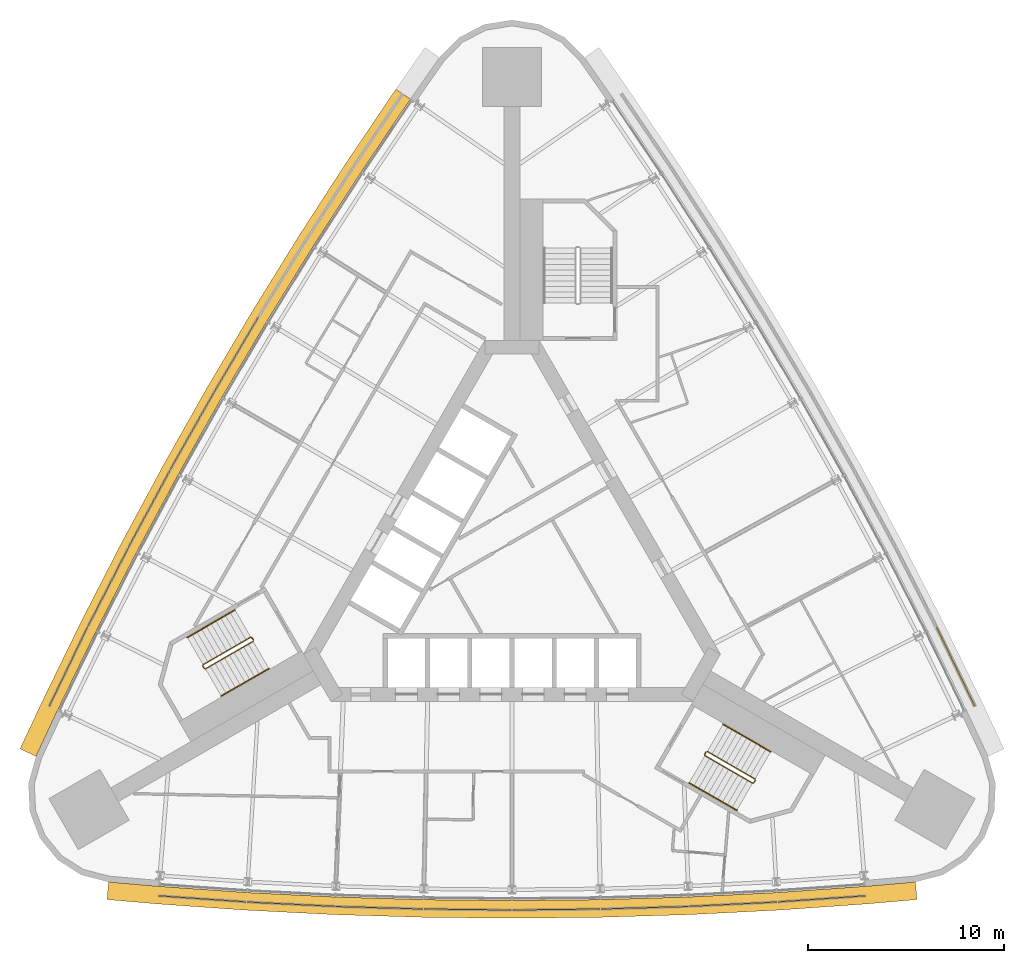
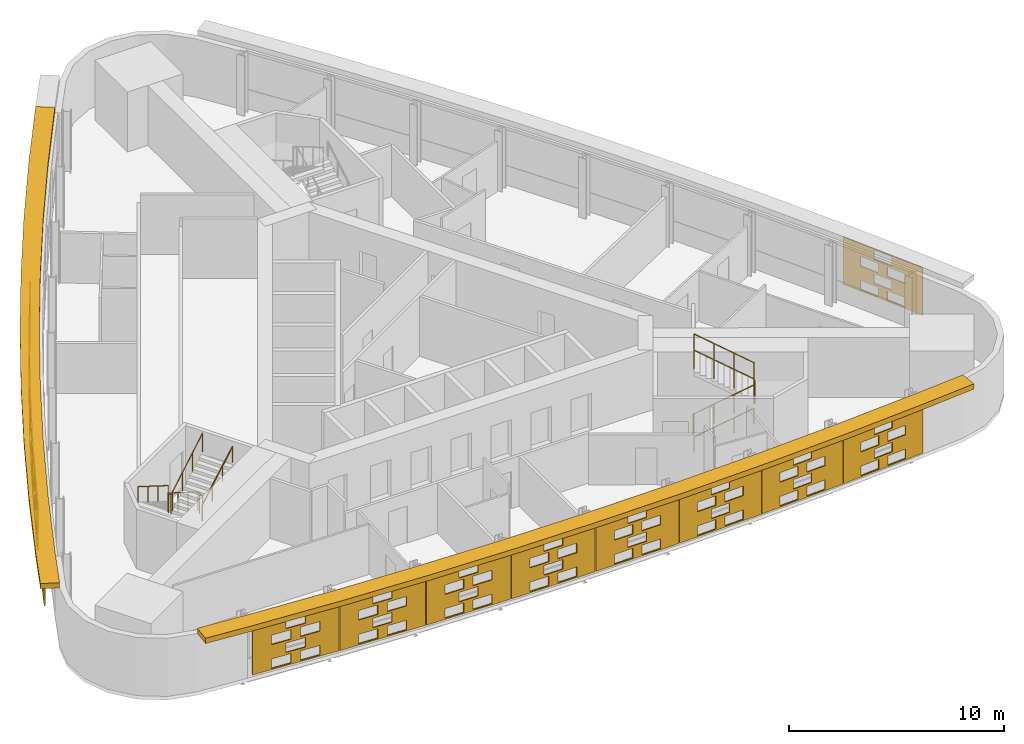
# One storey, part 10 of 11: 16 shading devices, 6 railings.
"""IFC4 building model written with IfcOpenShell, lengths in metres."""

import ifcopenshell
import ifcopenshell.guid

model = None  # the IFC model being written
_history = None  # IfcOwnerHistory: only IFC2X3 demands one
_inside = {}  # id of a spatial element -> (the spatial element, [elements in it])
_under = {}  # id of a project, library or spatial element -> (it, [spatial elements below it])
_declared = {}  # id of a project -> (the project, [libraries it declares])
_typed = {}  # id of a type object -> (the type object, [elements of that type])
_made_of = {}  # id of a material, layer set ... -> (it, [elements and type objects made of it])


def new_model(schema):
    """Start an empty IFC model of exactly this schema.

    Asked for "IFC4X3", IfcOpenShell would pick the latest addendum, in which some entities
    have other attributes; the version numbers below select the first issue.
    IFC2X3 requires an IfcOwnerHistory on every rooted entity: one is made here for all.
    """
    global model, _history
    if schema == "IFC4X3":
        model = ifcopenshell.file(schema_version=(4, 3, 0, 0))
    else:
        model = ifcopenshell.file(schema=schema)
    _inside.clear()
    _under.clear()
    _declared.clear()
    _typed.clear()
    _made_of.clear()
    _history = None
    if model.schema == "IFC2X3":
        org = make("IfcOrganization", Name="unknown")
        user = make(
            "IfcPersonAndOrganization",
            ThePerson=make("IfcPerson", FamilyName="unknown"),
            TheOrganization=org,
        )
        app = make(
            "IfcApplication",
            ApplicationDeveloper=org,
            Version="unknown",
            ApplicationFullName="unknown",
            ApplicationIdentifier="unknown",
        )
        _history = make(
            "IfcOwnerHistory",
            OwningUser=user,
            OwningApplication=app,
            ChangeAction="ADDED",
            CreationDate=0,
        )
    return model


def make(cls, **values):
    """One entity of the class cls with the attributes given. An attribute that is None is left unset."""
    return model.create_entity(
        cls, **{name: value for name, value in values.items() if value is not None}
    )


def rooted(cls, **values):
    """An entity with a GlobalId (a new one), such as an element, a storey or a relation."""
    return make(cls, GlobalId=ifcopenshell.guid.new(), OwnerHistory=_history, **values)


def si_unit(unit_type, name, prefix=None):
    """IfcSIUnit, for example si_unit("LENGTHUNIT", "METRE", prefix="MILLI")."""
    return make("IfcSIUnit", UnitType=unit_type, Prefix=prefix, Name=name)


def assignment(units):
    """IfcUnitAssignment: the units of a project."""
    return None if units is None else make("IfcUnitAssignment", Units=units)


def point(xyz):
    """IfcCartesianPoint."""
    return None if xyz is None else make("IfcCartesianPoint", Coordinates=xyz)


def direction(xyz):
    """IfcDirection."""
    return None if xyz is None else make("IfcDirection", DirectionRatios=xyz)


def frame(location, z_axis=None, x_axis=None):
    """IfcAxis2Placement3D, a coordinate frame: its origin and axes. An axis left out is left unset."""
    return make(
        "IfcAxis2Placement3D",
        Location=point(location),
        Axis=direction(z_axis),
        RefDirection=direction(x_axis),
    )


def frame_2d(location, x_axis=None):
    """IfcAxis2Placement2D, a coordinate frame in the plane: its origin and x axis."""
    return make(
        "IfcAxis2Placement2D", Location=point(location), RefDirection=direction(x_axis)
    )


def origin():
    """The frame at (0, 0, 0) with its axes left unset."""
    return frame((0.0, 0.0, 0.0))


def origin_2d():
    """The frame at (0, 0) in the plane with its x axis left unset."""
    return frame_2d((0.0, 0.0))


def place(relative_to, where):
    """IfcLocalPlacement: puts the frame where relative to a parent placement (None: the world)."""
    return make(
        "IfcLocalPlacement", PlacementRelTo=relative_to, RelativePlacement=where
    )


def context(
    kind, dimensions, precision=None, world=None, true_north=None, identifier=None
):
    """IfcGeometricRepresentationContext, for example the 3D "Model" context."""
    return make(
        "IfcGeometricRepresentationContext",
        ContextIdentifier=identifier,
        ContextType=kind,
        CoordinateSpaceDimension=dimensions,
        Precision=precision,
        WorldCoordinateSystem=world,
        TrueNorth=true_north,
    )


def subcontext(parent, identifier, kind, view, scale=None):
    """IfcGeometricRepresentationSubContext, for example "Body" below "Model"."""
    return make(
        "IfcGeometricRepresentationSubContext",
        ContextIdentifier=identifier,
        ContextType=kind,
        ParentContext=parent,
        TargetScale=scale,
        TargetView=view,
    )


def project(units=None, contexts=None):
    """IfcProject with its units and contexts."""
    return rooted(
        "IfcProject",
        Name="project",
        RepresentationContexts=contexts,
        UnitsInContext=assignment(units),
    )


def spatial(cls, under=None, at=None, **own):
    """A site, building, storey or space (cls), placed at a placement, below another one or the project."""
    s = rooted(cls, ObjectPlacement=at, **own)
    if under is not None:
        _under.setdefault(under.id(), (under, []))[1].append(s)
    return s


def polyline(points):
    """IfcPolyline through the points."""
    return make("IfcPolyline", Points=[point(p) for p in points])


def profile(cls, at=None, kind="AREA", **sizes):
    """A parametric profile (cls). Its sizes go by their IFC names, for example OverallWidth=200.0."""
    return make(cls, ProfileType=kind, Position=at, **sizes)


def circle(**sizes):
    """IfcCircleProfileDef."""
    return profile("IfcCircleProfileDef", **sizes)


def outline(outer, holes=None, kind="AREA"):
    """IfcArbitraryClosedProfileDef: a profile drawn as a closed curve; with holes, ...WithVoids."""
    if holes is None:
        return make("IfcArbitraryClosedProfileDef", ProfileType=kind, OuterCurve=outer)
    return make(
        "IfcArbitraryProfileDefWithVoids",
        ProfileType=kind,
        OuterCurve=outer,
        InnerCurves=holes,
    )


def extrude(swept, where, along, depth):
    """IfcExtrudedAreaSolid: the profile swept, set in the frame where, extruded along a direction by depth."""
    return make(
        "IfcExtrudedAreaSolid",
        SweptArea=swept,
        Position=where,
        ExtrudedDirection=direction(along),
        Depth=depth,
    )


def shape(context_of_items, identifier, shape_type, items):
    """IfcShapeRepresentation: the items that make up one representation, for example the "Body"."""
    return make(
        "IfcShapeRepresentation",
        ContextOfItems=context_of_items,
        RepresentationIdentifier=identifier,
        RepresentationType=shape_type,
        Items=items,
    )


def material(Name=None, Category=None):
    """IfcMaterial."""
    return make("IfcMaterial", Name=Name, Category=Category)


def material_profile(
    of_material, cross_section, Name=None, Category=None, Priority=None
):
    """IfcMaterialProfile: a cross section and its material."""
    return make(
        "IfcMaterialProfile",
        Name=Name,
        Material=of_material,
        Profile=cross_section,
        Priority=Priority,
        Category=Category,
    )


def profile_set(profiles, Name=None, composite=None):
    """IfcMaterialProfileSet."""
    return make(
        "IfcMaterialProfileSet",
        Name=Name,
        MaterialProfiles=profiles,
        CompositeProfile=composite,
    )


def made_of(thing, what):
    """Note that an element or type object is made of a material, layer set ...; save() writes the relation."""
    if what is not None:
        _made_of.setdefault(what.id(), (what, []))[1].append(thing)
    return thing


def type_object(cls, material=None, **own):
    """A type object (cls), such as IfcWallType, which elements share."""
    return made_of(rooted(cls, **own), material)


def element(
    cls,
    number,
    at=None,
    inside=None,
    cuts=None,
    type_object=None,
    material=None,
    context=None,
    identifier="Body",
    shape_type=None,
    held_by="IfcProductDefinitionShape",
    body=None,
    shapes=None,
    **own,
):
    """One element of the class cls, such as IfcWall. Its Tag is "e" and its number.

    at: its placement. inside: the storey or other place that contains it. cuts: it is an
    opening in that element (IfcRelVoidsElement). A single representation is given by context,
    identifier, shape_type and body (its items); several are given by shapes. held_by: the class
    of the entity that holds the representations. save() writes the other relations.
    """
    e = rooted(cls, Tag="e%d" % number, ObjectPlacement=at, **own)
    if body is not None:
        shapes = [shape(context, identifier, shape_type, body)]
    if shapes is not None:
        e.Representation = make(held_by, Representations=shapes)
    if inside is not None:
        _inside.setdefault(inside.id(), (inside, []))[1].append(e)
    if cuts is not None:
        rooted(
            "IfcRelVoidsElement", RelatingBuildingElement=cuts, RelatedOpeningElement=e
        )
    if type_object is not None:
        _typed.setdefault(type_object.id(), (type_object, []))[1].append(e)
    return made_of(e, material)


def aggregate(whole, parts):
    """IfcRelAggregates: a whole, such as a stair, and the parts it consists of."""
    return rooted("IfcRelAggregates", RelatingObject=whole, RelatedObjects=parts)


def save(model, path):
    """Write the relations noted so far, then the file.

    IfcRelAggregates (storeys below a building ...), IfcRelContainedInSpatialStructure (elements
    in a storey), IfcRelDefinesByType, IfcRelAssociatesMaterial and IfcRelDeclares: one each for
    every whole, place, type object, material and project.
    """
    for whole, parts in _under.values():
        aggregate(whole, parts)
    for where, things in _inside.values():
        rooted(
            "IfcRelContainedInSpatialStructure",
            RelatedElements=things,
            RelatingStructure=where,
        )
    for kind, things in _typed.values():
        rooted("IfcRelDefinesByType", RelatedObjects=things, RelatingType=kind)
    for what, things in _made_of.values():
        rooted("IfcRelAssociatesMaterial", RelatedObjects=things, RelatingMaterial=what)
    for by, libraries in _declared.values():
        rooted("IfcRelDeclares", RelatingContext=by, RelatedDefinitions=libraries)
    model.write(path)


model = new_model("IFC4")

# Units and contexts
model_context = context("Model", 3, precision=1e-05, world=origin(), true_north=direction((0.0, 1.0)))
body_context = subcontext(model_context, "Body", "Model", "MODEL_VIEW")
ifc_project = project(units=[si_unit("LENGTHUNIT", "METRE"), si_unit("AREAUNIT", "SQUARE_METRE"), si_unit("VOLUMEUNIT", "CUBIC_METRE"), si_unit("PLANEANGLEUNIT", "RADIAN"), si_unit("MASSUNIT", "GRAM", prefix="KILO")], contexts=[model_context])

# Site, building, storey
site_placement = place(None, origin())
site = spatial("IfcSite", under=ifc_project, at=site_placement, CompositionType="ELEMENT")
building_placement = place(site_placement, origin())
building = spatial("IfcBuilding", under=site, at=building_placement, Name="Noor Cloister Tower", CompositionType="ELEMENT")
storey_placement = place(building_placement, frame((0.0, 0.0, 109.5)))
storey = spatial("IfcBuildingStorey", under=building, at=storey_placement, Name="L28", CompositionType="ELEMENT", Elevation=109.5)

# Shading devices
ifc_material_1 = material(Name="Limestone", Category="masonry")
ifc_material_profile = material_profile(ifc_material_1, outline(polyline([(-2.22998046875, -1.35009765625), (2.22998046875, -1.35009765625), (2.22998046875, 1.35009765625), (-2.22998046875, 1.35009765625), (-2.22998046875, -1.35009765625)]), holes=[polyline([(-1.25, -1.282470703125), (-0.25, -1.282470703125), (-0.25, -0.742431640625), (-1.25, -0.742431640625), (-1.25, -1.282470703125)]), polyline([(0.25, -1.282470703125), (1.25, -1.282470703125), (1.25, -0.742431640625), (0.25, -0.742431640625), (0.25, -1.282470703125)]), polyline([(-0.5, -0.607421875), (0.5, -0.607421875), (0.5, -0.0673828125), (-0.5, -0.0673828125), (-0.5, -0.607421875)]), polyline([(-1.25, 0.0673828125), (-0.25, 0.0673828125), (-0.25, 0.607421875), (-1.25, 0.607421875), (-1.25, 0.0673828125)]), polyline([(0.25, 0.0673828125), (1.25, 0.0673828125), (1.25, 0.607421875), (0.25, 0.607421875), (0.25, 0.0673828125)]), polyline([(-0.5, 0.742431640625), (0.5, 0.742431640625), (0.5, 1.282470703125), (-0.5, 1.282470703125), (-0.5, 0.742431640625)])]), Name="Woven screen 28 percent open")
ifc_profile_set = profile_set([ifc_material_profile], Name="Limestone")
shading_device_type_1 = type_object("IfcShadingDeviceType", Name="SCREEN woven limestone 28 percent open", PredefinedType="USERDEFINED", material=ifc_profile_set)
for number, where, z_axis, x_axis, name in (
    (1, (-14.02978515625, 10.703369140625, 1.85009765625), (-0.86141148773, 0.507907716822, 0.0), (-0.507907716822, -0.86141148773, 0.0), "SCREEN L28 4"),
    (2, (-16.2841796875, 6.798583984375, 1.85009765625), (-0.87048706901, 0.492191286683, 0.0), (-0.492191286683, -0.87048706901, 0.0), "SCREEN L28 5"),
):
    element("IfcShadingDevice", number, at=place(storey_placement, frame(where, z_axis=z_axis, x_axis=x_axis)), inside=storey, type_object=shading_device_type_1, Name=name, ObjectType="SCREEN", PredefinedType="USERDEFINED", context=body_context, shape_type="SweptSolid", body=[
        extrude(outline(polyline([(-2.22998046875, -1.35009765625), (2.22998046875, -1.35009765625), (2.22998046875, 1.35009765625), (-2.22998046875, 1.35009765625), (-2.22998046875, -1.35009765625)]), holes=[polyline([(-1.25, -1.282470703125), (-0.25, -1.282470703125), (-0.25, -0.742431640625), (-1.25, -0.742431640625), (-1.25, -1.282470703125)]), polyline([(0.25, -1.282470703125), (1.25, -1.282470703125), (1.25, -0.742431640625), (0.25, -0.742431640625), (0.25, -1.282470703125)]), polyline([(-0.5, -0.607421875), (0.5, -0.607421875), (0.5, -0.0673828125), (-0.5, -0.0673828125), (-0.5, -0.607421875)]), polyline([(-1.25, 0.0673828125), (-0.25, 0.0673828125), (-0.25, 0.607421875), (-1.25, 0.607421875), (-1.25, 0.0673828125)]), polyline([(0.25, 0.0673828125), (1.25, 0.0673828125), (1.25, 0.607421875), (0.25, 0.607421875), (0.25, 0.0673828125)]), polyline([(-0.5, 0.742431640625), (0.5, 0.742431640625), (0.5, 1.282470703125), (-0.5, 1.282470703125), (-0.5, 0.742431640625)])]), origin(), (0.0, 0.0, 1.0), 0.06005859375),
    ])
shading_device_1_placement = place(storey_placement, frame((-18.459716796875, 2.849365234375, 1.85009765625), z_axis=(-0.880210472648, 0.474583526727, 0.0), x_axis=(-0.474583526727, -0.880210472648, 0.0)))
element("IfcShadingDevice", 3, at=shading_device_1_placement, inside=storey, type_object=shading_device_type_1, Name="SCREEN L28 6", ObjectType="SCREEN", PredefinedType="USERDEFINED", context=body_context, shape_type="SweptSolid", body=[
    extrude(outline(polyline([(-2.22998046875, -1.35009765625), (2.22998046875, -1.35009765625), (2.22998046875, 1.35009765625), (-2.22998046875, 1.35009765625), (-2.22998046875, -1.35009765625)]), holes=[polyline([(-1.25, -1.282470703125), (-0.25, -1.282470703125), (-0.25, -0.742431640625), (-1.25, -0.742431640625), (-1.25, -1.282470703125)]), polyline([(0.25, -1.282470703125), (1.25, -1.282470703125), (1.25, -0.742431640625), (0.25, -0.742431640625), (0.25, -1.282470703125)]), polyline([(-0.5, -0.607421875), (0.5, -0.607421875), (0.5, -0.0673828125), (-0.5, -0.0673828125), (-0.5, -0.607421875)]), polyline([(-1.25, 0.0673828125), (-0.25, 0.0673828125), (-0.25, 0.607421875), (-1.25, 0.607421875), (-1.25, 0.0673828125)]), polyline([(0.25, 0.0673828125), (1.25, 0.0673828125), (1.25, 0.607421875), (0.25, 0.607421875), (0.25, 0.0673828125)]), polyline([(-0.5, 0.742431640625), (0.5, 0.742431640625), (0.5, 1.282470703125), (-0.5, 1.282470703125), (-0.5, 0.742431640625)])]), origin(), (0.0, 0.0, 1.0), 0.060302734375),
])
shading_device_2_placement = place(storey_placement, frame((-20.5556640625, -1.142578125, 1.85009765625), z_axis=(-0.88947737876, 0.456979203766, 0.0), x_axis=(-0.456979203766, -0.88947737876, 0.0)))
element("IfcShadingDevice", 4, at=shading_device_2_placement, inside=storey, type_object=shading_device_type_1, Name="SCREEN L28 7", ObjectType="SCREEN", PredefinedType="USERDEFINED", context=body_context, shape_type="SweptSolid", body=[
    extrude(outline(polyline([(-2.22998046875, -1.35009765625), (2.22998046875, -1.35009765625), (2.22998046875, 1.35009765625), (-2.22998046875, 1.35009765625), (-2.22998046875, -1.35009765625)]), holes=[polyline([(-1.25, -1.282470703125), (-0.25, -1.282470703125), (-0.25, -0.742431640625), (-1.25, -0.742431640625), (-1.25, -1.282470703125)]), polyline([(0.25, -1.282470703125), (1.25, -1.282470703125), (1.25, -0.742431640625), (0.25, -0.742431640625), (0.25, -1.282470703125)]), polyline([(-0.5, -0.607421875), (0.5, -0.607421875), (0.5, -0.0673828125), (-0.5, -0.0673828125), (-0.5, -0.607421875)]), polyline([(-1.25, 0.0673828125), (-0.25, 0.0673828125), (-0.25, 0.607421875), (-1.25, 0.607421875), (-1.25, 0.0673828125)]), polyline([(0.25, 0.0673828125), (1.25, 0.0673828125), (1.25, 0.607421875), (0.25, 0.607421875), (0.25, 0.0673828125)]), polyline([(-0.5, 0.742431640625), (0.5, 0.742431640625), (0.5, 1.282470703125), (-0.5, 1.282470703125), (-0.5, 0.742431640625)])]), origin(), (0.0, 0.0, 1.0), 0.059814453125),
])
for number, where, z_axis, x_axis, name in (
    (5, (-22.57080078125, -5.17578125, 1.85009765625), (-0.900056208046, 0.435773820185, 0.0), (-0.435773820185, -0.900056208046, 0.0), "SCREEN L28 8"),
    (6, (-15.767822265625, -16.958984375, 1.85009765625), (-0.069221316626, -0.997601327848, 0.0), (0.997601327848, -0.069221316626, 0.0), "SCREEN L28 1"),
):
    element("IfcShadingDevice", number, at=place(storey_placement, frame(where, z_axis=z_axis, x_axis=x_axis)), inside=storey, type_object=shading_device_type_1, Name=name, ObjectType="SCREEN", PredefinedType="USERDEFINED", context=body_context, shape_type="SweptSolid", body=[
        extrude(outline(polyline([(-2.22998046875, -1.35009765625), (2.22998046875, -1.35009765625), (2.22998046875, 1.35009765625), (-2.22998046875, 1.35009765625), (-2.22998046875, -1.35009765625)]), holes=[polyline([(-1.25, -1.282470703125), (-0.25, -1.282470703125), (-0.25, -0.742431640625), (-1.25, -0.742431640625), (-1.25, -1.282470703125)]), polyline([(0.25, -1.282470703125), (1.25, -1.282470703125), (1.25, -0.742431640625), (0.25, -0.742431640625), (0.25, -1.282470703125)]), polyline([(-0.5, -0.607421875), (0.5, -0.607421875), (0.5, -0.0673828125), (-0.5, -0.0673828125), (-0.5, -0.607421875)]), polyline([(-1.25, 0.0673828125), (-0.25, 0.0673828125), (-0.25, 0.607421875), (-1.25, 0.607421875), (-1.25, 0.0673828125)]), polyline([(0.25, 0.0673828125), (1.25, 0.0673828125), (1.25, 0.607421875), (0.25, 0.607421875), (0.25, 0.0673828125)]), polyline([(-0.5, 0.742431640625), (0.5, 0.742431640625), (0.5, 1.282470703125), (-0.5, 1.282470703125), (-0.5, 0.742431640625)])]), origin(), (0.0, 0.0, 1.0), 0.06005859375),
    ])
shading_device_3_placement = place(storey_placement, frame((-11.267333984375, -17.23046875, 1.85009765625), z_axis=(-0.048920946303, -0.998802653687, 0.0), x_axis=(0.998802653687, -0.048920946303, 0.0)))
element("IfcShadingDevice", 7, at=shading_device_3_placement, inside=storey, type_object=shading_device_type_1, Name="SCREEN L28 2", ObjectType="SCREEN", PredefinedType="USERDEFINED", context=body_context, shape_type="SweptSolid", body=[
    extrude(outline(polyline([(-2.22998046875, -1.35009765625), (2.22998046875, -1.35009765625), (2.22998046875, 1.35009765625), (-2.22998046875, 1.35009765625), (-2.22998046875, -1.35009765625)]), holes=[polyline([(-1.25, -1.282470703125), (-0.25, -1.282470703125), (-0.25, -0.742431640625), (-1.25, -0.742431640625), (-1.25, -1.282470703125)]), polyline([(0.25, -1.282470703125), (1.25, -1.282470703125), (1.25, -0.742431640625), (0.25, -0.742431640625), (0.25, -1.282470703125)]), polyline([(-0.5, -0.607421875), (0.5, -0.607421875), (0.5, -0.0673828125), (-0.5, -0.0673828125), (-0.5, -0.607421875)]), polyline([(-1.25, 0.0673828125), (-0.25, 0.0673828125), (-0.25, 0.607421875), (-1.25, 0.607421875), (-1.25, 0.0673828125)]), polyline([(0.25, 0.0673828125), (1.25, 0.0673828125), (1.25, 0.607421875), (0.25, 0.607421875), (0.25, 0.0673828125)]), polyline([(-0.5, 0.742431640625), (0.5, 0.742431640625), (0.5, 1.282470703125), (-0.5, 1.282470703125), (-0.5, 0.742431640625)])]), origin(), (0.0, 0.0, 1.0), 0.059814453125),
])
shading_device_4_placement = place(storey_placement, frame((-6.76220703125, -17.411376953125, 1.85009765625), z_axis=(-0.028443771376, -0.999595394082, 0.0), x_axis=(0.999595394082, -0.028443771376, 0.0)))
element("IfcShadingDevice", 8, at=shading_device_4_placement, inside=storey, type_object=shading_device_type_1, Name="SCREEN L28 3", ObjectType="SCREEN", PredefinedType="USERDEFINED", context=body_context, shape_type="SweptSolid", body=[
    extrude(outline(polyline([(-2.22998046875, -1.35009765625), (2.22998046875, -1.35009765625), (2.22998046875, 1.35009765625), (-2.22998046875, 1.35009765625), (-2.22998046875, -1.35009765625)]), holes=[polyline([(-1.25, -1.282470703125), (-0.25, -1.282470703125), (-0.25, -0.742431640625), (-1.25, -0.742431640625), (-1.25, -1.282470703125)]), polyline([(0.25, -1.282470703125), (1.25, -1.282470703125), (1.25, -0.742431640625), (0.25, -0.742431640625), (0.25, -1.282470703125)]), polyline([(-0.5, -0.607421875), (0.5, -0.607421875), (0.5, -0.0673828125), (-0.5, -0.0673828125), (-0.5, -0.607421875)]), polyline([(-1.25, 0.0673828125), (-0.25, 0.0673828125), (-0.25, 0.607421875), (-1.25, 0.607421875), (-1.25, 0.0673828125)]), polyline([(0.25, 0.0673828125), (1.25, 0.0673828125), (1.25, 0.607421875), (0.25, 0.607421875), (0.25, 0.0673828125)]), polyline([(-0.5, 0.742431640625), (0.5, 0.742431640625), (0.5, 1.282470703125), (-0.5, 1.282470703125), (-0.5, 0.742431640625)])]), origin(), (0.0, 0.0, 1.0), 0.06005859375),
])
for number, where, z_axis, x_axis, name in (
    (9, (-2.25439453125, -17.501953125, 1.85009765625), (-0.008162993324, -0.999966682215, 0.0), (0.999966682215, -0.008162993324, 0.0), "SCREEN L28 4"),
    (10, (2.25439453125, -17.501953125, 1.85009765625), (0.008162993324, -0.999966682215, 0.0), (0.999966682215, 0.008162993324, 0.0), "SCREEN L28 5"),
):
    element("IfcShadingDevice", number, at=place(storey_placement, frame(where, z_axis=z_axis, x_axis=x_axis)), inside=storey, type_object=shading_device_type_1, Name=name, ObjectType="SCREEN", PredefinedType="USERDEFINED", context=body_context, shape_type="SweptSolid", body=[
        extrude(outline(polyline([(-2.22998046875, -1.35009765625), (2.22998046875, -1.35009765625), (2.22998046875, 1.35009765625), (-2.22998046875, 1.35009765625), (-2.22998046875, -1.35009765625)]), holes=[polyline([(-1.25, -1.282470703125), (-0.25, -1.282470703125), (-0.25, -0.742431640625), (-1.25, -0.742431640625), (-1.25, -1.282470703125)]), polyline([(0.25, -1.282470703125), (1.25, -1.282470703125), (1.25, -0.742431640625), (0.25, -0.742431640625), (0.25, -1.282470703125)]), polyline([(-0.5, -0.607421875), (0.5, -0.607421875), (0.5, -0.0673828125), (-0.5, -0.0673828125), (-0.5, -0.607421875)]), polyline([(-1.25, 0.0673828125), (-0.25, 0.0673828125), (-0.25, 0.607421875), (-1.25, 0.607421875), (-1.25, 0.0673828125)]), polyline([(0.25, 0.0673828125), (1.25, 0.0673828125), (1.25, 0.607421875), (0.25, 0.607421875), (0.25, 0.0673828125)]), polyline([(-0.5, 0.742431640625), (0.5, 0.742431640625), (0.5, 1.282470703125), (-0.5, 1.282470703125), (-0.5, 0.742431640625)])]), origin(), (0.0, 0.0, 1.0), 0.059814453125),
    ])
shading_device_5_placement = place(storey_placement, frame((6.76220703125, -17.411376953125, 1.85009765625), z_axis=(0.028443771376, -0.999595394082, 0.0), x_axis=(0.999595394082, 0.028443771376, 0.0)))
element("IfcShadingDevice", 11, at=shading_device_5_placement, inside=storey, type_object=shading_device_type_1, Name="SCREEN L28 6", ObjectType="SCREEN", PredefinedType="USERDEFINED", context=body_context, shape_type="SweptSolid", body=[
    extrude(outline(polyline([(-2.22998046875, -1.35009765625), (2.22998046875, -1.35009765625), (2.22998046875, 1.35009765625), (-2.22998046875, 1.35009765625), (-2.22998046875, -1.35009765625)]), holes=[polyline([(-1.25, -1.282470703125), (-0.25, -1.282470703125), (-0.25, -0.742431640625), (-1.25, -0.742431640625), (-1.25, -1.282470703125)]), polyline([(0.25, -1.282470703125), (1.25, -1.282470703125), (1.25, -0.742431640625), (0.25, -0.742431640625), (0.25, -1.282470703125)]), polyline([(-0.5, -0.607421875), (0.5, -0.607421875), (0.5, -0.0673828125), (-0.5, -0.0673828125), (-0.5, -0.607421875)]), polyline([(-1.25, 0.0673828125), (-0.25, 0.0673828125), (-0.25, 0.607421875), (-1.25, 0.607421875), (-1.25, 0.0673828125)]), polyline([(0.25, 0.0673828125), (1.25, 0.0673828125), (1.25, 0.607421875), (0.25, 0.607421875), (0.25, 0.0673828125)]), polyline([(-0.5, 0.742431640625), (0.5, 0.742431640625), (0.5, 1.282470703125), (-0.5, 1.282470703125), (-0.5, 0.742431640625)])]), origin(), (0.0, 0.0, 1.0), 0.06005859375),
])
shading_device_6_placement = place(storey_placement, frame((11.267333984375, -17.23046875, 1.85009765625), z_axis=(0.048920946303, -0.998802653687, 0.0), x_axis=(0.998802653687, 0.048920946303, 0.0)))
element("IfcShadingDevice", 12, at=shading_device_6_placement, inside=storey, type_object=shading_device_type_1, Name="SCREEN L28 7", ObjectType="SCREEN", PredefinedType="USERDEFINED", context=body_context, shape_type="SweptSolid", body=[
    extrude(outline(polyline([(-2.22998046875, -1.35009765625), (2.22998046875, -1.35009765625), (2.22998046875, 1.35009765625), (-2.22998046875, 1.35009765625), (-2.22998046875, -1.35009765625)]), holes=[polyline([(-1.25, -1.282470703125), (-0.25, -1.282470703125), (-0.25, -0.742431640625), (-1.25, -0.742431640625), (-1.25, -1.282470703125)]), polyline([(0.25, -1.282470703125), (1.25, -1.282470703125), (1.25, -0.742431640625), (0.25, -0.742431640625), (0.25, -1.282470703125)]), polyline([(-0.5, -0.607421875), (0.5, -0.607421875), (0.5, -0.0673828125), (-0.5, -0.0673828125), (-0.5, -0.607421875)]), polyline([(-1.25, 0.0673828125), (-0.25, 0.0673828125), (-0.25, 0.607421875), (-1.25, 0.607421875), (-1.25, 0.0673828125)]), polyline([(0.25, 0.0673828125), (1.25, 0.0673828125), (1.25, 0.607421875), (0.25, 0.607421875), (0.25, 0.0673828125)]), polyline([(-0.5, 0.742431640625), (0.5, 0.742431640625), (0.5, 1.282470703125), (-0.5, 1.282470703125), (-0.5, 0.742431640625)])]), origin(), (0.0, 0.0, 1.0), 0.059814453125),
])
for number, where, z_axis, x_axis, name in (
    (13, (15.767822265625, -16.958984375, 1.85009765625), (0.069221316626, -0.997601327848, 0.0), (0.997601327848, 0.069221316626, 0.0), "SCREEN L28 8"),
    (14, (22.57080078125, -5.17578125, 1.85009765625), (0.900056208046, 0.435773820185, 0.0), (-0.435773820185, 0.900056208046, 0.0), "SCREEN L28 1"),
):
    element("IfcShadingDevice", number, at=place(storey_placement, frame(where, z_axis=z_axis, x_axis=x_axis)), inside=storey, type_object=shading_device_type_1, Name=name, ObjectType="SCREEN", PredefinedType="USERDEFINED", context=body_context, shape_type="SweptSolid", body=[
        extrude(outline(polyline([(-2.22998046875, -1.35009765625), (2.22998046875, -1.35009765625), (2.22998046875, 1.35009765625), (-2.22998046875, 1.35009765625), (-2.22998046875, -1.35009765625)]), holes=[polyline([(-1.25, -1.282470703125), (-0.25, -1.282470703125), (-0.25, -0.742431640625), (-1.25, -0.742431640625), (-1.25, -1.282470703125)]), polyline([(0.25, -1.282470703125), (1.25, -1.282470703125), (1.25, -0.742431640625), (0.25, -0.742431640625), (0.25, -1.282470703125)]), polyline([(-0.5, -0.607421875), (0.5, -0.607421875), (0.5, -0.0673828125), (-0.5, -0.0673828125), (-0.5, -0.607421875)]), polyline([(-1.25, 0.0673828125), (-0.25, 0.0673828125), (-0.25, 0.607421875), (-1.25, 0.607421875), (-1.25, 0.0673828125)]), polyline([(0.25, 0.0673828125), (1.25, 0.0673828125), (1.25, 0.607421875), (0.25, 0.607421875), (0.25, 0.0673828125)]), polyline([(-0.5, 0.742431640625), (0.5, 0.742431640625), (0.5, 1.282470703125), (-0.5, 1.282470703125), (-0.5, 0.742431640625)])]), origin(), (0.0, 0.0, 1.0), 0.06005859375),
    ])
ifc_material_2 = material(Name="Limestone", Category="masonry")
shading_device_type_2 = type_object("IfcShadingDeviceType", Name="SUNSHADE limestone band 900", PredefinedType="USERDEFINED", material=ifc_material_2)
shading_device_7_placement = place(storey_placement, frame((0.0, 0.0, 3.300048828125)))
element("IfcShadingDevice", 15, at=shading_device_7_placement, inside=storey, type_object=shading_device_type_2, Name="SUNSHADE L28 1", ObjectType="SUNSHADE", PredefinedType="USERDEFINED", context=body_context, shape_type="SweptSolid", body=[
    extrude(outline(polyline([(-5.916748046875, 24.25146484375), (-8.43994140625, 20.514404296875), (-10.892333984375, 16.719970703125), (-13.268310546875, 12.877197265625), (-15.56640625, 8.9873046875), (-17.7861328125, 5.052001953125), (-19.92626953125, 1.0732421875), (-21.986083984375, -2.947998046875), (-23.9638671875, -7.0078125), (-25.059814453125, -9.350830078125), (-24.24462890625, -9.732177734375), (-23.151611328125, -7.395751953125), (-21.180908203125, -3.350341796875), (-19.129150390625, 0.65478515625), (-16.99755859375, 4.617919921875), (-14.786865234375, 8.537353515625), (-12.498046875, 12.41162109375), (-10.131591796875, 16.239013671875), (-7.68896484375, 20.018310546875), (-5.1708984375, 23.747802734375), (-5.916748046875, 24.25146484375)])), origin(), (0.0, 0.0, 1.0), 0.300048828125),
])
shading_device_8_placement = place(storey_placement, frame((0.0, 0.0, 3.300048828125)))
element("IfcShadingDevice", 16, at=shading_device_8_placement, inside=storey, type_object=shading_device_type_2, Name="SUNSHADE L28 2", ObjectType="SUNSHADE", PredefinedType="USERDEFINED", context=body_context, shape_type="SweptSolid", body=[
    extrude(outline(polyline([(-20.6279296875, -17.027099609375), (-18.051025390625, -17.249267578125), (-13.5458984375, -17.56640625), (-9.03369140625, -17.793212890625), (-4.517822265625, -17.92919921875), (0.0, -17.974609375), (4.517822265625, -17.92919921875), (9.03369140625, -17.793212890625), (13.5458984375, -17.56640625), (18.051025390625, -17.249267578125), (20.6279296875, -17.027099609375), (20.550537109375, -16.13037109375), (17.980712890625, -16.35205078125), (13.491943359375, -16.66796875), (8.99755859375, -16.893798828125), (4.499755859375, -17.029296875), (0.0, -17.074462890625), (-4.499755859375, -17.029296875), (-8.99755859375, -16.893798828125), (-13.491943359375, -16.66796875), (-17.980712890625, -16.35205078125), (-20.550537109375, -16.13037109375), (-20.6279296875, -17.027099609375)])), origin(), (0.0, 0.0, 1.0), 0.300048828125),
])

# Railings
ifc_material_3 = material(Name="Stainless steel", Category="steel")
railing_type_1 = type_object("IfcRailingType", Name="Stair guard 1100", PredefinedType="GUARDRAIL", material=ifc_material_3)
railing_1_placement = place(storey_placement, frame((-13.241455078125, -3.677734375, 0.0)))
element("IfcRailing", 17, at=railing_1_placement, inside=storey, type_object=railing_type_1, Name="Stair guard ST2 L28", PredefinedType="GUARDRAIL", context=body_context, shape_type="SweptSolid", body=[
    extrude(circle(Radius=0.02392578125, at=origin_2d()), frame((0.0, 0.0, 1.076171875), z_axis=(0.499112439033, -0.866537231285, 0.0), x_axis=(0.866537231285, 0.499112439033, 0.0)), (0.0, 0.0, 1.0), 0.150146484375),
    extrude(circle(Radius=0.02392578125, at=origin_2d()), frame((0.074951171875, -0.130126953125, 1.076171875), z_axis=(-0.544565797804, 0.563119998752, 0.621565731736), x_axis=(-0.718850276695, -0.695164929852, 0.0)), (0.0, 0.0, 1.0), 0.26318359375),
    extrude(circle(Radius=0.02392578125, at=origin_2d()), frame((-0.068359375, 0.01806640625, 1.23974609375), z_axis=(-0.747689811644, -0.431660630283, 0.504607813879), x_axis=(0.49998411664, -0.866034573852, 0.0)), (0.0, 0.0, 1.0), 3.2431640625),
    extrude(circle(Radius=0.02392578125, at=origin_2d()), frame((-2.4931640625, -1.3818359375, 2.8759765625), z_axis=(-0.258736085224, -0.965948051503, 0.0), x_axis=(0.965948051503, -0.258736085224, 0.0)), (0.0, 0.0, 1.0), 0.07080078125),
    extrude(circle(Radius=0.02392578125, at=origin_2d()), frame((-2.511474609375, -1.4501953125, 2.8759765625), z_axis=(0.499816412211, -0.866131372301, 0.0), x_axis=(0.866131372301, 0.499816412211, 0.0)), (0.0, 0.0, 1.0), 0.14990234375),
    extrude(circle(Radius=0.02392578125, at=origin_2d()), frame((-2.4365234375, -1.580078125, 2.8759765625), z_axis=(0.383552647116, -0.102737316192, 0.917786691313), x_axis=(0.258736085224, 0.965948051503, 0.0)), (0.0, 0.0, 1.0), 0.17822265625),
    extrude(circle(Radius=0.02392578125, at=origin_2d()), frame((-2.3681640625, -1.598388671875, 3.03955078125), z_axis=(0.747665513933, 0.431721881032, 0.504591415616), x_axis=(-0.500049511043, 0.865996816683, 0.0)), (0.0, 0.0, 1.0), 3.2431640625),
    extrude(circle(Radius=0.02099609375, at=origin_2d()), origin(), (0.0, 0.0, 1.0), 1.052001953125),
    extrude(circle(Radius=0.02099609375, at=origin_2d()), frame((0.074951171875, -0.130126953125, 0.0)), (0.0, 0.0, 1.0), 1.052001953125),
    extrude(circle(Radius=0.02099609375, at=origin_2d()), frame((-0.068359375, 0.01806640625, 0.16357421875)), (0.0, 0.0, 1.0), 1.052001953125),
    extrude(circle(Radius=0.02099609375, at=origin_2d()), frame((-0.876708984375, -0.448486328125, 0.708984375)), (0.0, 0.0, 1.0), 1.052001953125),
    extrude(circle(Radius=0.02099609375, at=origin_2d()), frame((-1.684814453125, -0.915283203125, 1.254638671875)), (0.0, 0.0, 1.0), 1.052001953125),
    extrude(circle(Radius=0.02099609375, at=origin_2d()), frame((-2.4931640625, -1.3818359375, 1.800048828125)), (0.0, 0.0, 1.0), 1.052001953125),
    extrude(circle(Radius=0.02099609375, at=origin_2d()), frame((-2.511474609375, -1.4501953125, 1.800048828125)), (0.0, 0.0, 1.0), 1.052001953125),
    extrude(circle(Radius=0.02099609375, at=origin_2d()), frame((-2.4365234375, -1.580078125, 1.800048828125)), (0.0, 0.0, 1.0), 1.052001953125),
    extrude(circle(Radius=0.02099609375, at=origin_2d()), frame((-2.3681640625, -1.598388671875, 1.963623046875)), (0.0, 0.0, 1.0), 1.052001953125),
    extrude(circle(Radius=0.02099609375, at=origin_2d()), frame((-1.559814453125, -1.131591796875, 2.509033203125)), (0.0, 0.0, 1.0), 1.052001953125),
    extrude(circle(Radius=0.02099609375, at=origin_2d()), frame((-0.751708984375, -0.6650390625, 3.0546875)), (0.0, 0.0, 1.0), 1.052001953125),
    extrude(circle(Radius=0.02099609375, at=origin_2d()), frame((0.056640625, -0.1982421875, 3.60009765625)), (0.0, 0.0, 1.0), 1.052001953125),
])
railing_2_placement = place(storey_placement, frame((9.805908203125, -9.628662109375, 0.0)))
element("IfcRailing", 18, at=railing_2_placement, inside=storey, type_object=railing_type_1, Name="Stair guard ST3 L28", PredefinedType="GUARDRAIL", context=body_context, shape_type="SweptSolid", body=[
    extrude(circle(Radius=0.02392578125, at=origin_2d()), frame((0.0, 0.0, 1.076171875), z_axis=(0.499112439033, 0.866537231285, 0.0), x_axis=(-0.866537231285, 0.499112439033, 0.0)), (0.0, 0.0, 1.0), 0.150146484375),
    extrude(circle(Radius=0.02392578125, at=origin_2d()), frame((0.074951171875, 0.130126953125, 1.076171875), z_axis=(-0.215214839654, -0.753251938789, 0.621525614518), x_axis=(0.961523947641, -0.274721127897, 0.0)), (0.0, 0.0, 1.0), 0.26318359375),
    extrude(circle(Radius=0.02392578125, at=origin_2d()), frame((0.018310546875, -0.068115234375, 1.23974609375), z_axis=(0.747665513933, -0.431721881032, 0.504591415616), x_axis=(0.500049511043, 0.865996816683, 0.0)), (0.0, 0.0, 1.0), 3.2431640625),
    extrude(circle(Radius=0.02392578125, at=origin_2d()), frame((2.443115234375, -1.46826171875, 2.8759765625), z_axis=(0.965948051503, 0.258736085224, 0.0), x_axis=(-0.258736085224, 0.965948051503, 0.0)), (0.0, 0.0, 1.0), 0.07080078125),
    extrude(circle(Radius=0.02392578125, at=origin_2d()), frame((2.511474609375, -1.449951171875, 2.8759765625), z_axis=(0.499816412211, 0.866131372301, 0.0), x_axis=(-0.866131372301, 0.499816412211, 0.0)), (0.0, 0.0, 1.0), 0.14990234375),
    extrude(circle(Radius=0.02392578125, at=origin_2d()), frame((2.58642578125, -1.320068359375, 2.8759765625), z_axis=(-0.102737316192, 0.383552647116, 0.917786691313), x_axis=(-0.965948051503, -0.258736085224, 0.0)), (0.0, 0.0, 1.0), 0.17822265625),
    extrude(circle(Radius=0.02392578125, at=origin_2d()), frame((2.568115234375, -1.251708984375, 3.03955078125), z_axis=(-0.747689811644, 0.431660630283, 0.504607813879), x_axis=(-0.49998411664, -0.866034573852, 0.0)), (0.0, 0.0, 1.0), 3.2431640625),
    extrude(circle(Radius=0.02099609375, at=origin_2d()), origin(), (0.0, 0.0, 1.0), 1.052001953125),
    extrude(circle(Radius=0.02099609375, at=origin_2d()), frame((0.074951171875, 0.130126953125, 0.0)), (0.0, 0.0, 1.0), 1.052001953125),
    extrude(circle(Radius=0.02099609375, at=origin_2d()), frame((0.018310546875, -0.068115234375, 0.16357421875)), (0.0, 0.0, 1.0), 1.052001953125),
    extrude(circle(Radius=0.02099609375, at=origin_2d()), frame((0.82666015625, -0.534912109375, 0.708984375)), (0.0, 0.0, 1.0), 1.052001953125),
    extrude(circle(Radius=0.02099609375, at=origin_2d()), frame((1.634765625, -1.00146484375, 1.254638671875)), (0.0, 0.0, 1.0), 1.052001953125),
    extrude(circle(Radius=0.02099609375, at=origin_2d()), frame((2.443115234375, -1.46826171875, 1.800048828125)), (0.0, 0.0, 1.0), 1.052001953125),
    extrude(circle(Radius=0.02099609375, at=origin_2d()), frame((2.511474609375, -1.449951171875, 1.800048828125)), (0.0, 0.0, 1.0), 1.052001953125),
    extrude(circle(Radius=0.02099609375, at=origin_2d()), frame((2.58642578125, -1.320068359375, 1.800048828125)), (0.0, 0.0, 1.0), 1.052001953125),
    extrude(circle(Radius=0.02099609375, at=origin_2d()), frame((2.568115234375, -1.251708984375, 1.963623046875)), (0.0, 0.0, 1.0), 1.052001953125),
    extrude(circle(Radius=0.02099609375, at=origin_2d()), frame((1.759765625, -0.78515625, 2.509033203125)), (0.0, 0.0, 1.0), 1.052001953125),
    extrude(circle(Radius=0.02099609375, at=origin_2d()), frame((0.95166015625, -0.318359375, 3.0546875)), (0.0, 0.0, 1.0), 1.052001953125),
    extrude(circle(Radius=0.02099609375, at=origin_2d()), frame((0.143310546875, 0.148193359375, 3.60009765625)), (0.0, 0.0, 1.0), 1.052001953125),
])
ifc_material_4 = material(Name="Stainless steel", Category="steel")
railing_type_2 = type_object("IfcRailingType", Name="Stair handrail 900", PredefinedType="HANDRAIL", material=ifc_material_4)
railing_3_placement = place(storey_placement, frame((-14.10986328125, -2.27392578125, 0.16357421875)))
element("IfcRailing", 19, at=railing_3_placement, inside=storey, type_object=railing_type_2, Name="Stair handrail ST2 L28 1", PredefinedType="HANDRAIL", context=body_context, shape_type="SweptSolid", body=[
    extrude(circle(Radius=0.02392578125, at=origin_2d()), frame((0.0, 0.0, 0.8759765625), z_axis=(-0.747689811644, -0.431660630283, 0.504607813879), x_axis=(0.49998411664, -0.866034573852, 0.0)), (0.0, 0.0, 1.0), 3.2431640625),
    extrude(circle(Radius=0.02099609375, at=origin_2d()), origin(), (0.0, 0.0, 1.0), 0.851806640625),
    extrude(circle(Radius=0.02099609375, at=origin_2d()), frame((-0.808349609375, -0.466552734375, 0.54541015625)), (0.0, 0.0, 1.0), 0.851806640625),
    extrude(circle(Radius=0.02099609375, at=origin_2d()), frame((-1.616455078125, -0.933349609375, 1.091064453125)), (0.0, 0.0, 1.0), 0.851806640625),
    extrude(circle(Radius=0.02099609375, at=origin_2d()), frame((-2.4248046875, -1.39990234375, 1.636474609375)), (0.0, 0.0, 1.0), 0.851806640625),
])
railing_4_placement = place(storey_placement, frame((-14.8095703125, -6.66162109375, 1.963623046875)))
element("IfcRailing", 20, at=railing_4_placement, inside=storey, type_object=railing_type_2, Name="Stair handrail ST2 L28 2", PredefinedType="HANDRAIL", context=body_context, shape_type="SweptSolid", body=[
    extrude(circle(Radius=0.02392578125, at=origin_2d()), frame((0.0, 0.0, 0.8759765625), z_axis=(0.747689811644, 0.431660630283, 0.504607813879), x_axis=(-0.49998411664, 0.866034573852, 0.0)), (0.0, 0.0, 1.0), 3.2431640625),
    extrude(circle(Radius=0.02099609375, at=origin_2d()), origin(), (0.0, 0.0, 1.0), 0.851806640625),
    extrude(circle(Radius=0.02099609375, at=origin_2d()), frame((0.808349609375, 0.466552734375, 0.54541015625)), (0.0, 0.0, 1.0), 0.851806640625),
    extrude(circle(Radius=0.02099609375, at=origin_2d()), frame((1.616455078125, 0.933349609375, 1.091064453125)), (0.0, 0.0, 1.0), 0.851806640625),
    extrude(circle(Radius=0.02099609375, at=origin_2d()), frame((2.4248046875, 1.39990234375, 1.636474609375)), (0.0, 0.0, 1.0), 0.851806640625),
])
railing_5_placement = place(storey_placement, frame((9.024169921875, -11.08251953125, 0.16357421875)))
element("IfcRailing", 21, at=railing_5_placement, inside=storey, type_object=railing_type_2, Name="Stair handrail ST3 L28 1", PredefinedType="HANDRAIL", context=body_context, shape_type="SweptSolid", body=[
    extrude(circle(Radius=0.02392578125, at=origin_2d()), frame((0.0, 0.0, 0.8759765625), z_axis=(0.747689811644, -0.431660630283, 0.504607813879), x_axis=(0.49998411664, 0.866034573852, 0.0)), (0.0, 0.0, 1.0), 3.2431640625),
    extrude(circle(Radius=0.02099609375, at=origin_2d()), origin(), (0.0, 0.0, 1.0), 0.851806640625),
    extrude(circle(Radius=0.02099609375, at=origin_2d()), frame((0.808349609375, -0.466552734375, 0.54541015625)), (0.0, 0.0, 1.0), 0.851806640625),
    extrude(circle(Radius=0.02099609375, at=origin_2d()), frame((1.616455078125, -0.933349609375, 1.091064453125)), (0.0, 0.0, 1.0), 0.851806640625),
    extrude(circle(Radius=0.02099609375, at=origin_2d()), frame((2.4248046875, -1.39990234375, 1.636474609375)), (0.0, 0.0, 1.0), 0.851806640625),
])
railing_6_placement = place(storey_placement, frame((13.174072265625, -9.49462890625, 1.963623046875)))
element("IfcRailing", 22, at=railing_6_placement, inside=storey, type_object=railing_type_2, Name="Stair handrail ST3 L28 2", PredefinedType="HANDRAIL", context=body_context, shape_type="SweptSolid", body=[
    extrude(circle(Radius=0.02392578125, at=origin_2d()), frame((0.0, 0.0, 0.8759765625), z_axis=(-0.747689811644, 0.431660630283, 0.504607813879), x_axis=(-0.49998411664, -0.866034573852, 0.0)), (0.0, 0.0, 1.0), 3.2431640625),
    extrude(circle(Radius=0.02099609375, at=origin_2d()), origin(), (0.0, 0.0, 1.0), 0.851806640625),
    extrude(circle(Radius=0.02099609375, at=origin_2d()), frame((-0.808349609375, 0.466552734375, 0.54541015625)), (0.0, 0.0, 1.0), 0.851806640625),
    extrude(circle(Radius=0.02099609375, at=origin_2d()), frame((-1.616455078125, 0.933349609375, 1.091064453125)), (0.0, 0.0, 1.0), 0.851806640625),
    extrude(circle(Radius=0.02099609375, at=origin_2d()), frame((-2.4248046875, 1.39990234375, 1.636474609375)), (0.0, 0.0, 1.0), 0.851806640625),
])

save(model, "model.ifc")
